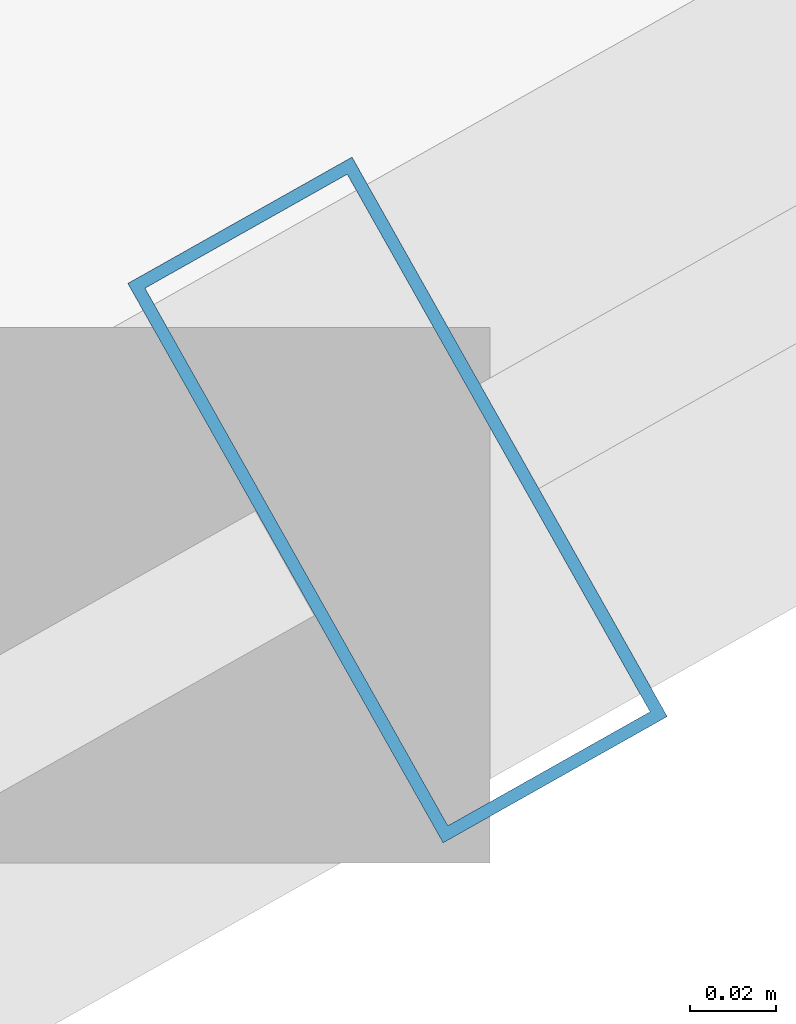
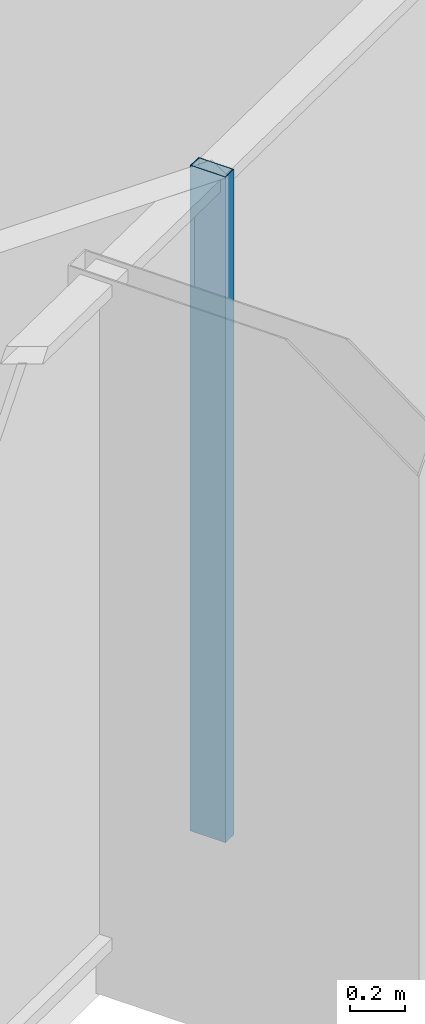
# One storey, part 8 of 30: 1 member, 1 element without a shape of its own.
"""IFC4 building model written with IfcOpenShell, lengths in metres."""

from ifc_helpers import new_model, si_unit, direction, frame, origin, origin_2d, place, context, subcontext, project, spatial, hollow_rectangle, extrude, source, transform, mapped, material, layer, layer_set, material_profile, profile_set, type_object, element, aggregate, save


model = new_model("IFC4")

# Units and contexts
model_context = context("Model", 3, precision=1e-05, world=origin(), true_north=direction((0.0, 1.0)))
body_context = subcontext(model_context, "Body", "Model", "MODEL_VIEW")
ifc_project = project(units=[si_unit("LENGTHUNIT", "METRE"), si_unit("AREAUNIT", "SQUARE_METRE"), si_unit("VOLUMEUNIT", "CUBIC_METRE"), si_unit("PLANEANGLEUNIT", "RADIAN"), si_unit("MASSUNIT", "GRAM", prefix="KILO")], contexts=[model_context])

# Site, building, storey
site_placement = place(None, origin())
site = spatial("IfcSite", under=ifc_project, at=site_placement, CompositionType="ELEMENT")
building_placement = place(site_placement, origin())
building = spatial("IfcBuilding", under=site, at=building_placement, Name="Veraguas Prism Commons", CompositionType="ELEMENT")
storey_placement = place(building_placement, frame((0.0, 0.0, 208.10009765625)))
storey = spatial("IfcBuildingStorey", under=building, at=storey_placement, Name="L59", CompositionType="ELEMENT", Elevation=208.10009765625)

# Curtain wall, member
ifc_material = material(Name="Anodised aluminium EN AW-6063 T6", Category="aluminium")
ifc_layer = layer(ifc_material, 0.14990234375, Name="Unitised Flush Curtain Wall Zone 3", Category="aluminium")
ifc_layer_set = layer_set([ifc_layer], Name="Anodised aluminium EN AW-6063 T6")
curtain_wall_type = type_object("IfcCurtainWallType", Name="Unitised Flush Curtain Wall Zone 3", PredefinedType="NOTDEFINED", material=ifc_layer_set)
curtain_wall_placement = place(storey_placement, origin())
curtain_wall = element("IfcCurtainWall", 1, at=curtain_wall_placement, inside=storey, type_object=curtain_wall_type, Name="Tower Facade Curtain Wall L59-F5", PredefinedType="NOTDEFINED")
ifc_material_profile = material_profile(ifc_material, hollow_rectangle(XDim=0.06005859375, YDim=0.14990234375, WallThickness=0.0029296875, at=origin_2d()), Name="AL60X150X3")
ifc_profile_set = profile_set([ifc_material_profile], Name="Anodised aluminium EN AW-6063 T6")
member_type = type_object("IfcMemberType", Name="Curtain Wall Mullion Upper AL 60x150x3", PredefinedType="MULLION", material=ifc_profile_set)
shared_shape = source(origin(), body_context, "Body", "SweptSolid", [
    extrude(hollow_rectangle(XDim=0.06005859375, YDim=0.14990234375, WallThickness=0.0029296875, at=origin_2d()), origin(), (0.0, 0.0, 1.0), 2.969970703125),
])
member_placement = place(storey_placement, frame((36.15771484375, 10.522216796875, 0.0), z_axis=(0.0, 0.0, 1.0), x_axis=(0.871215524692, 0.490900712502, 0.0)))
member = element("IfcMember", 2, at=member_placement, type_object=member_type, Name="CW-Z3 Mullion 4", PredefinedType="MULLION", context=body_context, shape_type="MappedRepresentation", body=[
    mapped(shared_shape, transform((0.0, 0.0, 0.0), scale=1.0)),
])
aggregate(curtain_wall, [member])

save(model, "model.ifc")
